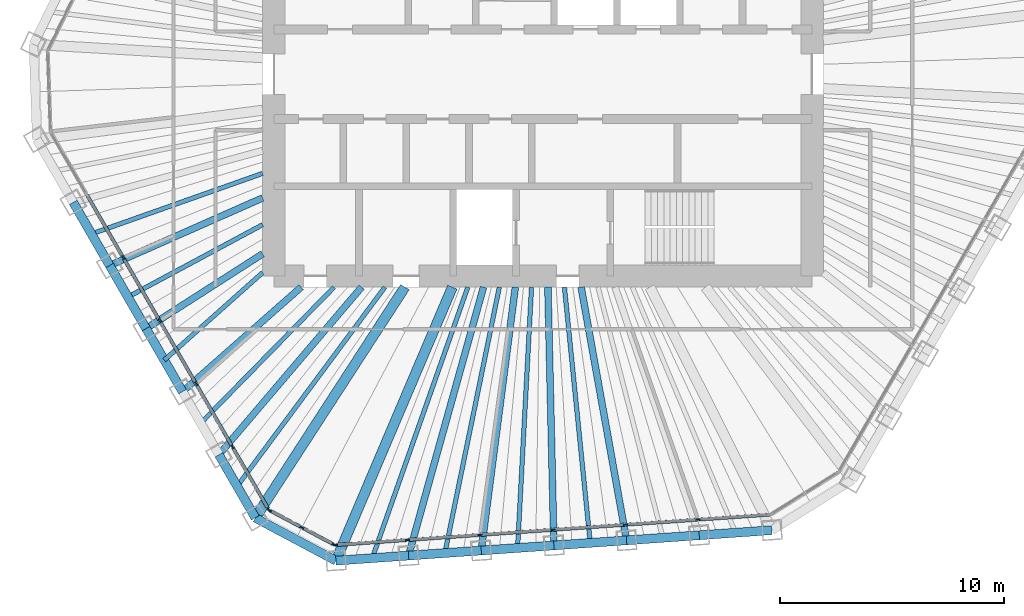
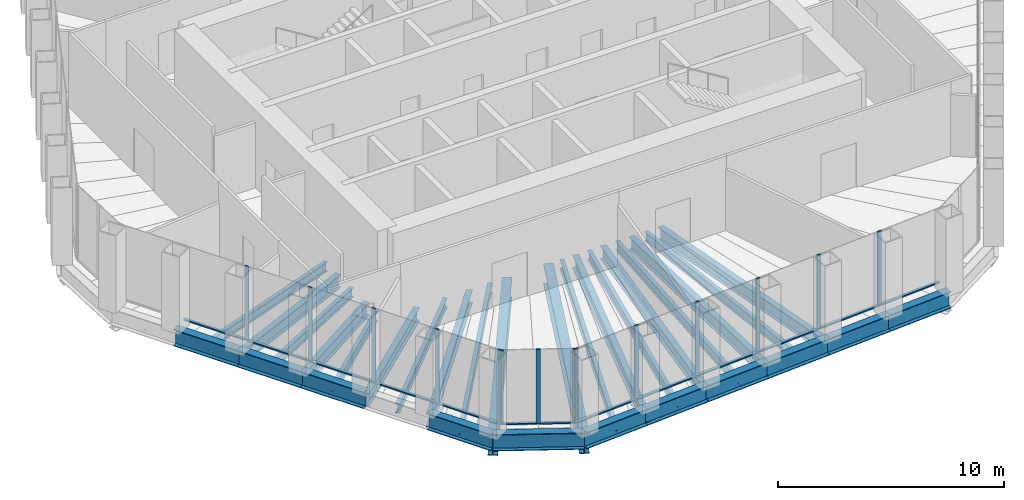
# One storey, part 2 of 14: 30 beams, 27 members, 3 elements without a shape of their own.
"""IFC4 building model written with IfcOpenShell, lengths in metres."""

from ifc_helpers import new_model, si_unit, direction, frame, origin, origin_2d, place, context, subcontext, project, spatial, rectangle, i_section, extrude, material, material_profile, profile_set, type_object, element, aggregate, save


model = new_model("IFC4")

# Units and contexts
model_context = context("Model", 3, precision=1e-05, world=origin(), true_north=direction((0.0, 1.0)))
body_context = subcontext(model_context, "Body", "Model", "MODEL_VIEW")
ifc_project = project(units=[si_unit("LENGTHUNIT", "METRE"), si_unit("AREAUNIT", "SQUARE_METRE"), si_unit("VOLUMEUNIT", "CUBIC_METRE"), si_unit("PLANEANGLEUNIT", "RADIAN"), si_unit("MASSUNIT", "GRAM", prefix="KILO")], contexts=[model_context])

# Site, building, storey
site_placement = place(None, origin())
site = spatial("IfcSite", under=ifc_project, at=site_placement, CompositionType="ELEMENT")
building_placement = place(site_placement, origin())
building = spatial("IfcBuilding", under=site, at=building_placement, Name="Qingtian Harvest Tower", CompositionType="ELEMENT")
storey_placement = place(building_placement, frame((0.0, 0.0, 287.199951171875)))
storey = spatial("IfcBuildingStorey", under=building, at=storey_placement, Name="L63", CompositionType="ELEMENT", Elevation=287.199951171875)

# Beams
ifc_material_1 = material(Name="Steel SM570MC", Category="steel")
ifc_material_profile_1 = material_profile(ifc_material_1, i_section(OverallWidth=0.449951171875, OverallDepth=1.10009765625, WebThickness=0.02197265625, FlangeThickness=0.044921875, at=origin_2d()), Name="H1100x450x22x45")
ifc_profile_set_1 = profile_set([ifc_material_profile_1], Name="Steel SM570MC")
beam_type_1 = type_object("IfcBeamType", Name="Corner floor beam FB8 H1100x450x22x45", PredefinedType="BEAM", material=ifc_profile_set_1)
beam_1_placement = place(storey_placement, frame((-9.231201171875, -21.69677734375, -0.719970703125), z_axis=(0.391497096334, 0.920179343151, 0.0), x_axis=(-0.920179343151, 0.391497096334, 0.0)))
element("IfcBeam", 1, at=beam_1_placement, inside=storey, type_object=beam_type_1, Name="Floor beam FB8 S6", PredefinedType="BEAM", context=body_context, shape_type="SweptSolid", body=[
    extrude(i_section(OverallWidth=0.449951171875, OverallDepth=1.10009765625, WebThickness=0.02197265625, FlangeThickness=0.044921875, at=origin_2d()), origin(), (0.0, 0.0, 1.0), 13.2548828125),
])
beam_2_placement = place(storey_placement, frame((-12.825439453125, -19.78564453125, -0.719970703125), z_axis=(0.543944801957, 0.83912099987, 0.0), x_axis=(-0.83912099987, 0.543944801957, 0.0)))
element("IfcBeam", 2, at=beam_2_placement, inside=storey, type_object=beam_type_1, Name="Floor beam FB8 SW0", PredefinedType="BEAM", context=body_context, shape_type="SweptSolid", body=[
    extrude(i_section(OverallWidth=0.449951171875, OverallDepth=1.10009765625, WebThickness=0.02197265625, FlangeThickness=0.044921875, at=origin_2d()), origin(), (0.0, 0.0, 1.0), 12.257568359375),
])
ifc_material_2 = material(Name="Steel SN490B", Category="steel")
ifc_material_profile_2 = material_profile(ifc_material_2, i_section(OverallWidth=0.300048828125, OverallDepth=0.699951171875, WebThickness=0.012939453125, FlangeThickness=0.02392578125, at=origin_2d()), Name="H700x300x13x24")
ifc_profile_set_2 = profile_set([ifc_material_profile_2], Name="Steel SN490B")
beam_type_2 = type_object("IfcBeamType", Name="Floor beam FB4 H700x300x13x24", PredefinedType="BEAM", material=ifc_profile_set_2)
beam_3_placement = place(storey_placement, frame((3.729248046875, -20.79052734375, -0.52001953125), z_axis=(-0.176549332285, 0.984291792747, 0.0), x_axis=(-0.984291792747, -0.176549332285, 0.0)))
element("IfcBeam", 3, at=beam_3_placement, inside=storey, type_object=beam_type_2, Name="Floor beam FB4 S2", PredefinedType="BEAM", context=body_context, shape_type="SweptSolid", body=[
    extrude(i_section(OverallWidth=0.300048828125, OverallDepth=0.699951171875, WebThickness=0.012939453125, FlangeThickness=0.02392578125, at=origin_2d()), origin(), (0.0, 0.0, 1.0), 11.470703125),
])
beam_4_placement = place(storey_placement, frame((0.489013671875, -21.01708984375, -0.52001953125), z_axis=(-0.023248050009, 0.999729727562, 0.0), x_axis=(-0.999729727562, -0.023248050009, 0.0)))
element("IfcBeam", 4, at=beam_4_placement, inside=storey, type_object=beam_type_2, Name="Floor beam FB4 S3", PredefinedType="BEAM", context=body_context, shape_type="SweptSolid", body=[
    extrude(i_section(OverallWidth=0.300048828125, OverallDepth=0.699951171875, WebThickness=0.012939453125, FlangeThickness=0.02392578125, at=origin_2d()), origin(), (0.0, 0.0, 1.0), 11.520263671875),
])
beam_5_placement = place(storey_placement, frame((-2.7509765625, -21.24365234375, -0.52001953125), z_axis=(0.128423358095, 0.991719436683, 0.0), x_axis=(-0.991719436683, 0.128423358095, 0.0)))
element("IfcBeam", 5, at=beam_5_placement, inside=storey, type_object=beam_type_2, Name="Floor beam FB4 S4", PredefinedType="BEAM", context=body_context, shape_type="SweptSolid", body=[
    extrude(i_section(OverallWidth=0.300048828125, OverallDepth=0.699951171875, WebThickness=0.012939453125, FlangeThickness=0.02392578125, at=origin_2d()), origin(), (0.0, 0.0, 1.0), 11.841796875),
])
beam_6_placement = place(storey_placement, frame((-5.9912109375, -21.47021484375, -0.52001953125), z_axis=(0.268784556761, 0.963200322906, 0.0), x_axis=(-0.963200322906, 0.268784556761, 0.0)))
element("IfcBeam", 6, at=beam_6_placement, inside=storey, type_object=beam_type_2, Name="Floor beam FB4 S5", PredefinedType="BEAM", context=body_context, shape_type="SweptSolid", body=[
    extrude(i_section(OverallWidth=0.300048828125, OverallDepth=0.699951171875, WebThickness=0.012939453125, FlangeThickness=0.02392578125, at=origin_2d()), origin(), (0.0, 0.0, 1.0), 12.427490234375),
])
beam_7_placement = place(storey_placement, frame((-14.449462890625, -16.972900390625, -0.52001953125), z_axis=(0.64823096823, 0.761443768001, 0.0), x_axis=(-0.761443768001, 0.64823096823, 0.0)))
element("IfcBeam", 7, at=beam_7_placement, inside=storey, type_object=beam_type_2, Name="Floor beam FB4 SW1", PredefinedType="BEAM", context=body_context, shape_type="SweptSolid", body=[
    extrude(i_section(OverallWidth=0.300048828125, OverallDepth=0.699951171875, WebThickness=0.012939453125, FlangeThickness=0.02392578125, at=origin_2d()), origin(), (0.0, 0.0, 1.0), 9.814208984375),
])
beam_8_placement = place(storey_placement, frame((-16.073486328125, -14.159912109375, -0.52001953125), z_axis=(0.75036921961, 0.661018936387, 0.0), x_axis=(-0.661018936387, 0.75036921961, 0.0)))
element("IfcBeam", 8, at=beam_8_placement, inside=storey, type_object=beam_type_2, Name="Floor beam FB4 SW2", PredefinedType="BEAM", context=body_context, shape_type="SweptSolid", body=[
    extrude(i_section(OverallWidth=0.300048828125, OverallDepth=0.699951171875, WebThickness=0.012939453125, FlangeThickness=0.02392578125, at=origin_2d()), origin(), (0.0, 0.0, 1.0), 7.049560546875),
])
beam_9_placement = place(storey_placement, frame((-17.697509765625, -11.34716796875, -0.52001953125), z_axis=(0.841821552392, 0.539755939225, 0.0), x_axis=(-0.539755939225, 0.841821552392, 0.0)))
element("IfcBeam", 9, at=beam_9_placement, inside=storey, type_object=beam_type_2, Name="Floor beam FB4 SW3", PredefinedType="BEAM", context=body_context, shape_type="SweptSolid", body=[
    extrude(i_section(OverallWidth=0.300048828125, OverallDepth=0.699951171875, WebThickness=0.012939453125, FlangeThickness=0.02392578125, at=origin_2d()), origin(), (0.0, 0.0, 1.0), 6.174072265625),
])
beam_10_placement = place(storey_placement, frame((-19.321533203125, -8.5341796875, -0.52001953125), z_axis=(0.914747389649, 0.404026253021, 0.0), x_axis=(-0.404026253021, 0.914747389649, 0.0)))
element("IfcBeam", 10, at=beam_10_placement, inside=storey, type_object=beam_type_2, Name="Floor beam FB4 SW4", PredefinedType="BEAM", context=body_context, shape_type="SweptSolid", body=[
    extrude(i_section(OverallWidth=0.300048828125, OverallDepth=0.699951171875, WebThickness=0.012939453125, FlangeThickness=0.02392578125, at=origin_2d()), origin(), (0.0, 0.0, 1.0), 7.457275390625),
])
ifc_material_3 = material(Name="Steel SN490B", Category="steel")
ifc_material_profile_3 = material_profile(ifc_material_3, i_section(OverallWidth=0.199951171875, OverallDepth=0.5, WebThickness=0.010009765625, FlangeThickness=0.01611328125, at=origin_2d()), Name="H500x200x10x16")
ifc_profile_set_3 = profile_set([ifc_material_profile_3], Name="Steel SN490B")
beam_type_3 = type_object("IfcBeamType", Name="Floor joist J3 H500x200x10x16", PredefinedType="JOIST", material=ifc_profile_set_3)
beam_11_placement = place(storey_placement, frame((2.109130859375, -20.90380859375, -0.419921875), z_axis=(-0.100389444623, 0.994948219461, 0.0), x_axis=(-0.994948219461, -0.100389444623, 0.0)))
element("IfcBeam", 11, at=beam_11_placement, inside=storey, type_object=beam_type_3, Name="Floor joist J3 S2", PredefinedType="JOIST", context=body_context, shape_type="SweptSolid", body=[
    extrude(i_section(OverallWidth=0.199951171875, OverallDepth=0.5, WebThickness=0.010009765625, FlangeThickness=0.01611328125, at=origin_2d()), origin(), (0.0, 0.0, 1.0), 11.461669921875),
])
beam_12_placement = place(storey_placement, frame((-1.130859375, -21.13037109375, -0.419921875), z_axis=(0.053431269754, 0.998571529442, 0.0), x_axis=(-0.998571529442, 0.053431269754, 0.0)))
element("IfcBeam", 12, at=beam_12_placement, inside=storey, type_object=beam_type_3, Name="Floor joist J3 S3", PredefinedType="JOIST", context=body_context, shape_type="SweptSolid", body=[
    extrude(i_section(OverallWidth=0.199951171875, OverallDepth=0.5, WebThickness=0.010009765625, FlangeThickness=0.01611328125, at=origin_2d()), origin(), (0.0, 0.0, 1.0), 11.64697265625),
])
beam_13_placement = place(storey_placement, frame((-4.37109375, -21.35693359375, -0.419921875), z_axis=(0.20051328843, 0.979690982485, 0.0), x_axis=(-0.979690982485, 0.20051328843, 0.0)))
element("IfcBeam", 13, at=beam_13_placement, inside=storey, type_object=beam_type_3, Name="Floor joist J3 S4", PredefinedType="JOIST", context=body_context, shape_type="SweptSolid", body=[
    extrude(i_section(OverallWidth=0.199951171875, OverallDepth=0.5, WebThickness=0.010009765625, FlangeThickness=0.01611328125, at=origin_2d()), origin(), (0.0, 0.0, 1.0), 12.102783203125),
])
beam_14_placement = place(storey_placement, frame((-7.611083984375, -21.58349609375, -0.419921875), z_axis=(0.332557973755, 0.943082814016, 0.0), x_axis=(-0.943082814016, 0.332557973755, 0.0)))
element("IfcBeam", 14, at=beam_14_placement, inside=storey, type_object=beam_type_3, Name="Floor joist J3 S5", PredefinedType="JOIST", context=body_context, shape_type="SweptSolid", body=[
    extrude(i_section(OverallWidth=0.199951171875, OverallDepth=0.5, WebThickness=0.010009765625, FlangeThickness=0.01611328125, at=origin_2d()), origin(), (0.0, 0.0, 1.0), 12.812744140625),
])
beam_15_placement = place(storey_placement, frame((-13.637451171875, -18.37939453125, -0.419921875), z_axis=(0.59587265023, 0.80307894052, 0.0), x_axis=(-0.80307894052, 0.59587265023, 0.0)))
element("IfcBeam", 15, at=beam_15_placement, inside=storey, type_object=beam_type_3, Name="Floor joist J3 SW0", PredefinedType="JOIST", context=body_context, shape_type="SweptSolid", body=[
    extrude(i_section(OverallWidth=0.199951171875, OverallDepth=0.5, WebThickness=0.010009765625, FlangeThickness=0.01611328125, at=origin_2d()), origin(), (0.0, 0.0, 1.0), 11.056640625),
])
beam_16_placement = place(storey_placement, frame((-15.261474609375, -15.56640625, -0.419921875), z_axis=(0.700074571426, 0.714069740602, 0.0), x_axis=(-0.714069740602, 0.700074571426, 0.0)))
element("IfcBeam", 16, at=beam_16_placement, inside=storey, type_object=beam_type_3, Name="Floor joist J3 SW1", PredefinedType="JOIST", context=body_context, shape_type="SweptSolid", body=[
    extrude(i_section(OverallWidth=0.199951171875, OverallDepth=0.5, WebThickness=0.010009765625, FlangeThickness=0.01611328125, at=origin_2d()), origin(), (0.0, 0.0, 1.0), 8.49560546875),
])
beam_17_placement = place(storey_placement, frame((-16.885498046875, -12.753662109375, -0.419921875), z_axis=(0.746957180478, 0.664872146004, 0.0), x_axis=(-0.664872146004, 0.746957180478, 0.0)))
element("IfcBeam", 17, at=beam_17_placement, inside=storey, type_object=beam_type_3, Name="Floor joist J3 SW2", PredefinedType="JOIST", context=body_context, shape_type="SweptSolid", body=[
    extrude(i_section(OverallWidth=0.199951171875, OverallDepth=0.5, WebThickness=0.010009765625, FlangeThickness=0.01611328125, at=origin_2d()), origin(), (0.0, 0.0, 1.0), 5.87109375),
])
beam_18_placement = place(storey_placement, frame((-18.509521484375, -9.940673828125, -0.419921875), z_axis=(0.880981997123, 0.473149786795, 0.0), x_axis=(-0.473149786795, 0.880981997123, 0.0)))
element("IfcBeam", 18, at=beam_18_placement, inside=storey, type_object=beam_type_3, Name="Floor joist J3 SW3", PredefinedType="JOIST", context=body_context, shape_type="SweptSolid", body=[
    extrude(i_section(OverallWidth=0.199951171875, OverallDepth=0.5, WebThickness=0.010009765625, FlangeThickness=0.01611328125, at=origin_2d()), origin(), (0.0, 0.0, 1.0), 6.8212890625),
])
beam_19_placement = place(storey_placement, frame((-20.133544921875, -7.1279296875, -0.419921875), z_axis=(0.942662600818, 0.333747241215, 0.0), x_axis=(-0.333747241215, 0.942662600818, 0.0)))
element("IfcBeam", 19, at=beam_19_placement, inside=storey, type_object=beam_type_3, Name="Floor joist J3 SW4", PredefinedType="JOIST", context=body_context, shape_type="SweptSolid", body=[
    extrude(i_section(OverallWidth=0.199951171875, OverallDepth=0.5, WebThickness=0.010009765625, FlangeThickness=0.01611328125, at=origin_2d()), origin(), (0.0, 0.0, 1.0), 8.097900390625),
])

# Curtain wall, members
ifc_material_4 = material(Name="Bronze-anodised aluminium curtain wall", Category="aluminium")
curtain_wall_type = type_object("IfcCurtainWallType", Name="Curtain wall CW5 upper office", PredefinedType="USERDEFINED", material=ifc_material_4)
curtain_wall_1_placement = place(storey_placement, origin())
curtain_wall_1 = element("IfcCurtainWall", 20, at=curtain_wall_1_placement, inside=storey, type_object=curtain_wall_type, Name="Curtain wall CW5 L63 S0-5", ObjectType="RECESSED CURTAIN WALL", PredefinedType="USERDEFINED")
ifc_material_5 = material(Name="Bronze-anodised aluminium mullion", Category="aluminium")
ifc_material_profile_4 = material_profile(ifc_material_5, rectangle(XDim=0.06494140625, YDim=0.199951171875, at=origin_2d()), Name="AL 65x200")
ifc_profile_set_4 = profile_set([ifc_material_profile_4], Name="Bronze-anodised aluminium mullion")
member_type_1 = type_object("IfcMemberType", Name="Mullion CWM 65x200", PredefinedType="MULLION", material=ifc_profile_set_4)
member_1_placement = place(storey_placement, frame((6.92041015625, -19.86572265625, 0.0), z_axis=(0.0, 0.0, 1.0), x_axis=(0.069756473744, -0.99756405026, 0.0)))
member_1 = element("IfcMember", 21, at=member_1_placement, type_object=member_type_1, Name="CW5 mullion 2", PredefinedType="MULLION", context=body_context, shape_type="SweptSolid", body=[
    extrude(rectangle(XDim=0.06494140625, YDim=0.199951171875, at=origin_2d()), origin(), (0.0, 0.0, 1.0), 4.030029296875),
])
member_2_placement = place(storey_placement, frame((3.680419921875, -20.09228515625, 0.0), z_axis=(0.0, 0.0, 1.0), x_axis=(0.069756473744, -0.99756405026, 0.0)))
member_2 = element("IfcMember", 22, at=member_2_placement, type_object=member_type_1, Name="CW5 mullion 3", PredefinedType="MULLION", context=body_context, shape_type="SweptSolid", body=[
    extrude(rectangle(XDim=0.06494140625, YDim=0.199951171875, at=origin_2d()), origin(), (0.0, 0.0, 1.0), 4.030029296875),
])
member_3_placement = place(storey_placement, frame((0.440185546875, -20.31884765625, 0.0), z_axis=(0.0, 0.0, 1.0), x_axis=(0.069756473744, -0.99756405026, 0.0)))
member_3 = element("IfcMember", 23, at=member_3_placement, type_object=member_type_1, Name="CW5 mullion 4", PredefinedType="MULLION", context=body_context, shape_type="SweptSolid", body=[
    extrude(rectangle(XDim=0.06494140625, YDim=0.199951171875, at=origin_2d()), origin(), (0.0, 0.0, 1.0), 4.030029296875),
])
member_4_placement = place(storey_placement, frame((-2.7998046875, -20.54541015625, 0.0), z_axis=(0.0, 0.0, 1.0), x_axis=(0.069756473744, -0.99756405026, 0.0)))
member_4 = element("IfcMember", 24, at=member_4_placement, type_object=member_type_1, Name="CW5 mullion 5", PredefinedType="MULLION", context=body_context, shape_type="SweptSolid", body=[
    extrude(rectangle(XDim=0.06494140625, YDim=0.199951171875, at=origin_2d()), origin(), (0.0, 0.0, 1.0), 4.030029296875),
])
member_5_placement = place(storey_placement, frame((-6.0400390625, -20.77197265625, 0.0), z_axis=(0.0, 0.0, 1.0), x_axis=(0.069756473744, -0.99756405026, 0.0)))
member_5 = element("IfcMember", 25, at=member_5_placement, type_object=member_type_1, Name="CW5 mullion 6", PredefinedType="MULLION", context=body_context, shape_type="SweptSolid", body=[
    extrude(rectangle(XDim=0.06494140625, YDim=0.199951171875, at=origin_2d()), origin(), (0.0, 0.0, 1.0), 4.030029296875),
])
member_6_placement = place(storey_placement, frame((-9.24755859375, -20.996337890625, 0.0), z_axis=(0.0, 0.0, 1.0), x_axis=(0.069756473744, -0.99756405026, 0.0)))
member_6 = element("IfcMember", 26, at=member_6_placement, type_object=member_type_1, Name="CW5 mullion 7", PredefinedType="MULLION", context=body_context, shape_type="SweptSolid", body=[
    extrude(rectangle(XDim=0.06494140625, YDim=0.199951171875, at=origin_2d()), origin(), (0.0, 0.0, 1.0), 4.030029296875),
])

curtain_wall_2_placement = place(storey_placement, origin())
curtain_wall_2 = element("IfcCurtainWall", 27, at=curtain_wall_2_placement, inside=storey, type_object=curtain_wall_type, Name="Curtain wall CW5 L63 SC", ObjectType="RECESSED CURTAIN WALL", PredefinedType="USERDEFINED")
member_7_placement = place(storey_placement, frame((-9.308837890625, -20.983154296875, 0.0), z_axis=(0.0, 0.0, 1.0), x_axis=(-0.469471562786, -0.882947592859, 0.0)))
member_7 = element("IfcMember", 28, at=member_7_placement, type_object=member_type_1, Name="CW5 mullion 1", PredefinedType="MULLION", context=body_context, shape_type="SweptSolid", body=[
    extrude(rectangle(XDim=0.06494140625, YDim=0.199951171875, at=origin_2d()), origin(), (0.0, 0.0, 1.0), 4.030029296875),
])
member_8_placement = place(storey_placement, frame((-10.749755859375, -20.217041015625, 0.0), z_axis=(0.0, 0.0, 1.0), x_axis=(-0.469471562786, -0.882947592859, 0.0)))
member_8 = element("IfcMember", 29, at=member_8_placement, type_object=member_type_1, Name="CW5 mullion 2", PredefinedType="MULLION", context=body_context, shape_type="SweptSolid", body=[
    extrude(rectangle(XDim=0.06494140625, YDim=0.199951171875, at=origin_2d()), origin(), (0.0, 0.0, 1.0), 4.030029296875),
])
member_9_placement = place(storey_placement, frame((-12.1904296875, -19.450927734375, 0.0), z_axis=(0.0, 0.0, 1.0), x_axis=(-0.469471562786, -0.882947592859, 0.0)))
member_9 = element("IfcMember", 30, at=member_9_placement, type_object=member_type_1, Name="CW5 mullion 3", PredefinedType="MULLION", context=body_context, shape_type="SweptSolid", body=[
    extrude(rectangle(XDim=0.06494140625, YDim=0.199951171875, at=origin_2d()), origin(), (0.0, 0.0, 1.0), 4.030029296875),
])

curtain_wall_3_placement = place(storey_placement, origin())
curtain_wall_3 = element("IfcCurtainWall", 31, at=curtain_wall_3_placement, inside=storey, type_object=curtain_wall_type, Name="Curtain wall CW5 L63 SW0-5", ObjectType="RECESSED CURTAIN WALL", PredefinedType="USERDEFINED")
member_10_placement = place(storey_placement, frame((-12.2353515625, -19.40771484375, 0.0), z_axis=(0.0, 0.0, 1.0), x_axis=(-0.866025403784, -0.5, 0.0)))
member_10 = element("IfcMember", 32, at=member_10_placement, type_object=member_type_1, Name="CW5 mullion 1", PredefinedType="MULLION", context=body_context, shape_type="SweptSolid", body=[
    extrude(rectangle(XDim=0.06494140625, YDim=0.199951171875, at=origin_2d()), origin(), (0.0, 0.0, 1.0), 4.030029296875),
])
member_11_placement = place(storey_placement, frame((-13.84326171875, -16.622802734375, 0.0), z_axis=(0.0, 0.0, 1.0), x_axis=(-0.866025403784, -0.5, 0.0)))
member_11 = element("IfcMember", 33, at=member_11_placement, type_object=member_type_1, Name="CW5 mullion 2", PredefinedType="MULLION", context=body_context, shape_type="SweptSolid", body=[
    extrude(rectangle(XDim=0.06494140625, YDim=0.199951171875, at=origin_2d()), origin(), (0.0, 0.0, 1.0), 4.030029296875),
])
member_12_placement = place(storey_placement, frame((-15.46728515625, -13.81005859375, 0.0), z_axis=(0.0, 0.0, 1.0), x_axis=(-0.866025403784, -0.5, 0.0)))
member_12 = element("IfcMember", 34, at=member_12_placement, type_object=member_type_1, Name="CW5 mullion 3", PredefinedType="MULLION", context=body_context, shape_type="SweptSolid", body=[
    extrude(rectangle(XDim=0.06494140625, YDim=0.199951171875, at=origin_2d()), origin(), (0.0, 0.0, 1.0), 4.030029296875),
])
member_13_placement = place(storey_placement, frame((-17.09130859375, -10.9970703125, 0.0), z_axis=(0.0, 0.0, 1.0), x_axis=(-0.866025403784, -0.5, 0.0)))
member_13 = element("IfcMember", 35, at=member_13_placement, type_object=member_type_1, Name="CW5 mullion 4", PredefinedType="MULLION", context=body_context, shape_type="SweptSolid", body=[
    extrude(rectangle(XDim=0.06494140625, YDim=0.199951171875, at=origin_2d()), origin(), (0.0, 0.0, 1.0), 4.030029296875),
])
member_14_placement = place(storey_placement, frame((-18.71533203125, -8.184326171875, 0.0), z_axis=(0.0, 0.0, 1.0), x_axis=(-0.866025403784, -0.5, 0.0)))
member_14 = element("IfcMember", 36, at=member_14_placement, type_object=member_type_1, Name="CW5 mullion 5", PredefinedType="MULLION", context=body_context, shape_type="SweptSolid", body=[
    extrude(rectangle(XDim=0.06494140625, YDim=0.199951171875, at=origin_2d()), origin(), (0.0, 0.0, 1.0), 4.030029296875),
])

# Beams
ifc_material_6 = material(Name="Steel SN490B", Category="steel")
ifc_material_profile_5 = material_profile(ifc_material_6, i_section(OverallWidth=0.39990234375, OverallDepth=0.89990234375, WebThickness=0.01904296875, FlangeThickness=0.035888671875, at=origin_2d()), Name="H900x400x19x36")
ifc_profile_set_5 = profile_set([ifc_material_profile_5], Name="Steel SN490B")
beam_type_4 = type_object("IfcBeamType", Name="Spandrel beam SB4 H900x400x19x36", PredefinedType="SPANDREL", material=ifc_profile_set_5)
beam_20_placement = place(storey_placement, frame((10.20947265625, -20.33740234375, -0.449951171875), z_axis=(-0.9975644093, -0.069751339047, 0.0), x_axis=(0.069751339047, -0.9975644093, 0.0)))
element("IfcBeam", 37, at=beam_20_placement, inside=storey, type_object=beam_type_4, Name="Spandrel SB4 S0", PredefinedType="SPANDREL", context=body_context, shape_type="SweptSolid", body=[
    extrude(i_section(OverallWidth=0.39990234375, OverallDepth=0.89990234375, WebThickness=0.01904296875, FlangeThickness=0.035888671875, at=origin_2d()), origin(), (0.0, 0.0, 1.0), 3.248046875),
])
beam_21_placement = place(storey_placement, frame((6.96923828125, -20.56396484375, -0.449951171875), z_axis=(-0.997564043571, -0.069756569394, 0.0), x_axis=(0.069756569394, -0.997564043571, 0.0)))
element("IfcBeam", 38, at=beam_21_placement, inside=storey, type_object=beam_type_4, Name="Spandrel SB4 S1", PredefinedType="SPANDREL", context=body_context, shape_type="SweptSolid", body=[
    extrude(i_section(OverallWidth=0.39990234375, OverallDepth=0.89990234375, WebThickness=0.01904296875, FlangeThickness=0.035888671875, at=origin_2d()), origin(), (0.0, 0.0, 1.0), 3.247802734375),
])
beam_22_placement = place(storey_placement, frame((3.729248046875, -20.79052734375, -0.449951171875), z_axis=(-0.9975644093, -0.069751339047, 0.0), x_axis=(0.069751339047, -0.9975644093, 0.0)))
element("IfcBeam", 39, at=beam_22_placement, inside=storey, type_object=beam_type_4, Name="Spandrel SB4 S2", PredefinedType="SPANDREL", context=body_context, shape_type="SweptSolid", body=[
    extrude(i_section(OverallWidth=0.39990234375, OverallDepth=0.89990234375, WebThickness=0.01904296875, FlangeThickness=0.035888671875, at=origin_2d()), origin(), (0.0, 0.0, 1.0), 3.248046875),
])
beam_23_placement = place(storey_placement, frame((0.489013671875, -21.01708984375, -0.449951171875), z_axis=(-0.997564043571, -0.069756569394, 0.0), x_axis=(0.069756569394, -0.997564043571, 0.0)))
element("IfcBeam", 40, at=beam_23_placement, inside=storey, type_object=beam_type_4, Name="Spandrel SB4 S3", PredefinedType="SPANDREL", context=body_context, shape_type="SweptSolid", body=[
    extrude(i_section(OverallWidth=0.39990234375, OverallDepth=0.89990234375, WebThickness=0.01904296875, FlangeThickness=0.035888671875, at=origin_2d()), origin(), (0.0, 0.0, 1.0), 3.247802734375),
])
beam_24_placement = place(storey_placement, frame((-2.7509765625, -21.24365234375, -0.449951171875), z_axis=(-0.9975644093, -0.069751339047, 0.0), x_axis=(0.069751339047, -0.9975644093, 0.0)))
element("IfcBeam", 41, at=beam_24_placement, inside=storey, type_object=beam_type_4, Name="Spandrel SB4 S4", PredefinedType="SPANDREL", context=body_context, shape_type="SweptSolid", body=[
    extrude(i_section(OverallWidth=0.39990234375, OverallDepth=0.89990234375, WebThickness=0.01904296875, FlangeThickness=0.035888671875, at=origin_2d()), origin(), (0.0, 0.0, 1.0), 3.248046875),
])
beam_25_placement = place(storey_placement, frame((-5.9912109375, -21.47021484375, -0.449951171875), z_axis=(-0.997564043571, -0.069756569394, 0.0), x_axis=(0.069756569394, -0.997564043571, 0.0)))
element("IfcBeam", 42, at=beam_25_placement, inside=storey, type_object=beam_type_4, Name="Spandrel SB4 S5", PredefinedType="SPANDREL", context=body_context, shape_type="SweptSolid", body=[
    extrude(i_section(OverallWidth=0.39990234375, OverallDepth=0.89990234375, WebThickness=0.01904296875, FlangeThickness=0.035888671875, at=origin_2d()), origin(), (0.0, 0.0, 1.0), 3.247802734375),
])
beam_26_placement = place(storey_placement, frame((-9.231201171875, -21.69677734375, -0.449951171875), z_axis=(-0.882943273379, 0.469479686456, 0.0), x_axis=(-0.469479686456, -0.882943273379, 0.0)))
element("IfcBeam", 43, at=beam_26_placement, inside=storey, type_object=beam_type_4, Name="Spandrel SB4 SC", PredefinedType="SPANDREL", context=body_context, shape_type="SweptSolid", body=[
    extrude(i_section(OverallWidth=0.39990234375, OverallDepth=0.89990234375, WebThickness=0.01904296875, FlangeThickness=0.035888671875, at=origin_2d()), origin(), (0.0, 0.0, 1.0), 4.07080078125),
])
for number, where, z_axis, x_axis, name in (
    (44, (-12.825439453125, -19.78564453125, -0.449951171875), (-0.500019593356, 0.866014091259, 0.0), (-0.866014091259, -0.500019593356, 0.0), "Spandrel SB4 SW0"),
    (45, (-16.073486328125, -14.159912109375, -0.449951171875), (-0.500019593356, 0.866014091259, 0.0), (-0.866014091259, -0.500019593356, 0.0), "Spandrel SB4 SW2"),
):
    element("IfcBeam", number, at=place(storey_placement, frame(where, z_axis=z_axis, x_axis=x_axis)), inside=storey, type_object=beam_type_4, Name=name, PredefinedType="SPANDREL", context=body_context, shape_type="SweptSolid", body=[
        extrude(i_section(OverallWidth=0.39990234375, OverallDepth=0.89990234375, WebThickness=0.01904296875, FlangeThickness=0.035888671875, at=origin_2d()), origin(), (0.0, 0.0, 1.0), 3.247802734375),
    ])
beam_27_placement = place(storey_placement, frame((-17.697509765625, -11.34716796875, -0.449951171875), z_axis=(-0.499987045439, 0.866032882975, 0.0), x_axis=(-0.866032882975, -0.499987045439, 0.0)))
element("IfcBeam", 46, at=beam_27_placement, inside=storey, type_object=beam_type_4, Name="Spandrel SB4 SW3", PredefinedType="SPANDREL", context=body_context, shape_type="SweptSolid", body=[
    extrude(i_section(OverallWidth=0.39990234375, OverallDepth=0.89990234375, WebThickness=0.01904296875, FlangeThickness=0.035888671875, at=origin_2d()), origin(), (0.0, 0.0, 1.0), 3.248046875),
])
beam_28_placement = place(storey_placement, frame((-19.321533203125, -8.5341796875, -0.449951171875), z_axis=(-0.500019593356, 0.866014091259, 0.0), x_axis=(-0.866014091259, -0.500019593356, 0.0)))
element("IfcBeam", 47, at=beam_28_placement, inside=storey, type_object=beam_type_4, Name="Spandrel SB4 SW4", PredefinedType="SPANDREL", context=body_context, shape_type="SweptSolid", body=[
    extrude(i_section(OverallWidth=0.39990234375, OverallDepth=0.89990234375, WebThickness=0.01904296875, FlangeThickness=0.035888671875, at=origin_2d()), origin(), (0.0, 0.0, 1.0), 3.247802734375),
])

# Member
ifc_material_7 = material(Name="Bronze-anodised aluminium transom", Category="aluminium")
ifc_material_profile_6 = material_profile(ifc_material_7, rectangle(XDim=0.14990234375, YDim=0.06494140625, at=origin_2d()), Name="AL 65x150")
ifc_profile_set_6 = profile_set([ifc_material_profile_6], Name="Bronze-anodised aluminium transom")
member_type_2 = type_object("IfcMemberType", Name="Transom CWT 65x150", PredefinedType="USERDEFINED", material=ifc_profile_set_6)
member_15_placement = place(storey_placement, frame((10.095703125, -19.6435546875, 0.032470703125), z_axis=(-0.997564955301, -0.069743529851, 0.0), x_axis=(0.069743529851, -0.997564955301, 0.0)))
member_15 = element("IfcMember", 48, at=member_15_placement, type_object=member_type_2, Name="CW5 transom 1.1", ObjectType="TRANSOM", PredefinedType="USERDEFINED", context=body_context, shape_type="SweptSolid", body=[
    extrude(rectangle(XDim=0.14990234375, YDim=0.06494140625, at=origin_2d()), origin(), (0.0, 0.0, 1.0), 3.150390625),
])

member_16_placement = place(storey_placement, frame((6.88818359375, -19.867919921875, 0.032470703125), z_axis=(-0.997566548107, -0.069720743674, 0.0), x_axis=(0.069720743674, -0.997566548107, 0.0)))
member_16 = element("IfcMember", 49, at=member_16_placement, type_object=member_type_2, Name="CW5 transom 2.1", ObjectType="TRANSOM", PredefinedType="USERDEFINED", context=body_context, shape_type="SweptSolid", body=[
    extrude(rectangle(XDim=0.14990234375, YDim=0.06494140625, at=origin_2d()), origin(), (0.0, 0.0, 1.0), 3.18310546875),
])

member_17_placement = place(storey_placement, frame((3.64794921875, -20.094482421875, 0.032470703125), z_axis=(-0.997566548107, -0.069720743674, 0.0), x_axis=(0.069720743674, -0.997566548107, 0.0)))
member_17 = element("IfcMember", 50, at=member_17_placement, type_object=member_type_2, Name="CW5 transom 3.1", ObjectType="TRANSOM", PredefinedType="USERDEFINED", context=body_context, shape_type="SweptSolid", body=[
    extrude(rectangle(XDim=0.14990234375, YDim=0.06494140625, at=origin_2d()), origin(), (0.0, 0.0, 1.0), 3.18310546875),
])

member_18_placement = place(storey_placement, frame((0.407958984375, -20.321044921875, 0.032470703125), z_axis=(-0.997566548107, -0.069720743674, 0.0), x_axis=(0.069720743674, -0.997566548107, 0.0)))
member_18 = element("IfcMember", 51, at=member_18_placement, type_object=member_type_2, Name="CW5 transom 4.1", ObjectType="TRANSOM", PredefinedType="USERDEFINED", context=body_context, shape_type="SweptSolid", body=[
    extrude(rectangle(XDim=0.14990234375, YDim=0.06494140625, at=origin_2d()), origin(), (0.0, 0.0, 1.0), 3.18310546875),
])

member_19_placement = place(storey_placement, frame((-2.832275390625, -20.547607421875, 0.032470703125), z_axis=(-0.997561210613, -0.06979707071, 0.0), x_axis=(0.06979707071, -0.997561210613, 0.0)))
member_19 = element("IfcMember", 52, at=member_19_placement, type_object=member_type_2, Name="CW5 transom 5.1", ObjectType="TRANSOM", PredefinedType="USERDEFINED", context=body_context, shape_type="SweptSolid", body=[
    extrude(rectangle(XDim=0.14990234375, YDim=0.06494140625, at=origin_2d()), origin(), (0.0, 0.0, 1.0), 3.18310546875),
])

member_20_placement = place(storey_placement, frame((-6.072509765625, -20.774169921875, 0.032470703125), z_axis=(-0.997564955301, -0.069743529851, 0.0), x_axis=(0.069743529851, -0.997564955301, 0.0)))
member_20 = element("IfcMember", 53, at=member_20_placement, type_object=member_type_2, Name="CW5 transom 6.1", ObjectType="TRANSOM", PredefinedType="USERDEFINED", context=body_context, shape_type="SweptSolid", body=[
    extrude(rectangle(XDim=0.14990234375, YDim=0.06494140625, at=origin_2d()), origin(), (0.0, 0.0, 1.0), 3.150390625),
])

aggregate(curtain_wall_1, [member_1, member_2, member_3, member_4, member_5, member_6, member_15, member_16, member_17, member_18, member_19, member_20])

member_21_placement = place(storey_placement, frame((-9.33740234375, -20.968017578125, 0.032470703125), z_axis=(-0.882960338349, 0.46944759122, 0.0), x_axis=(-0.46944759122, -0.882960338349, 0.0)))
member_21 = element("IfcMember", 54, at=member_21_placement, type_object=member_type_2, Name="CW5 transom 1.1", ObjectType="TRANSOM", PredefinedType="USERDEFINED", context=body_context, shape_type="SweptSolid", body=[
    extrude(rectangle(XDim=0.14990234375, YDim=0.06494140625, at=origin_2d()), origin(), (0.0, 0.0, 1.0), 1.56689453125),
])

member_22_placement = place(storey_placement, frame((-10.7783203125, -20.201904296875, 0.032470703125), z_axis=(-0.882960338349, 0.46944759122, 0.0), x_axis=(-0.46944759122, -0.882960338349, 0.0)))
member_22 = element("IfcMember", 55, at=member_22_placement, type_object=member_type_2, Name="CW5 transom 2.1", ObjectType="TRANSOM", PredefinedType="USERDEFINED", context=body_context, shape_type="SweptSolid", body=[
    extrude(rectangle(XDim=0.14990234375, YDim=0.06494140625, at=origin_2d()), origin(), (0.0, 0.0, 1.0), 1.56689453125),
])

aggregate(curtain_wall_2, [member_7, member_8, member_9, member_21, member_22])

member_23_placement = place(storey_placement, frame((-12.251708984375, -19.37939453125, 0.032470703125), z_axis=(-0.50000643655, 0.866021687608, 0.0), x_axis=(-0.866021687608, -0.50000643655, 0.0)))
member_23 = element("IfcMember", 56, at=member_23_placement, type_object=member_type_2, Name="CW5 transom 1.1", ObjectType="TRANSOM", PredefinedType="USERDEFINED", context=body_context, shape_type="SweptSolid", body=[
    extrude(rectangle(XDim=0.14990234375, YDim=0.06494140625, at=origin_2d()), origin(), (0.0, 0.0, 1.0), 3.150390625),
])

member_24_placement = place(storey_placement, frame((-13.859375, -16.5947265625, 0.032470703125), z_axis=(-0.5000079448, 0.866020816803, 0.0), x_axis=(-0.866020816803, -0.5000079448, 0.0)))
member_24 = element("IfcMember", 57, at=member_24_placement, type_object=member_type_2, Name="CW5 transom 2.1", ObjectType="TRANSOM", PredefinedType="USERDEFINED", context=body_context, shape_type="SweptSolid", body=[
    extrude(rectangle(XDim=0.14990234375, YDim=0.06494140625, at=origin_2d()), origin(), (0.0, 0.0, 1.0), 3.18310546875),
])

member_25_placement = place(storey_placement, frame((-15.4833984375, -13.78173828125, 0.032470703125), z_axis=(-0.500041159108, 0.866001639258, 0.0), x_axis=(-0.866001639258, -0.500041159108, 0.0)))
member_25 = element("IfcMember", 58, at=member_25_placement, type_object=member_type_2, Name="CW5 transom 3.1", ObjectType="TRANSOM", PredefinedType="USERDEFINED", context=body_context, shape_type="SweptSolid", body=[
    extrude(rectangle(XDim=0.14990234375, YDim=0.06494140625, at=origin_2d()), origin(), (0.0, 0.0, 1.0), 3.182861328125),
])

member_26_placement = place(storey_placement, frame((-17.107421875, -10.968994140625, 0.032470703125), z_axis=(-0.5000079448, 0.866020816803, 0.0), x_axis=(-0.866020816803, -0.5000079448, 0.0)))
member_26 = element("IfcMember", 59, at=member_26_placement, type_object=member_type_2, Name="CW5 transom 4.1", ObjectType="TRANSOM", PredefinedType="USERDEFINED", context=body_context, shape_type="SweptSolid", body=[
    extrude(rectangle(XDim=0.14990234375, YDim=0.06494140625, at=origin_2d()), origin(), (0.0, 0.0, 1.0), 3.18310546875),
])

member_27_placement = place(storey_placement, frame((-18.7314453125, -8.156005859375, 0.032470703125), z_axis=(-0.5000079448, 0.866020816803, 0.0), x_axis=(-0.866020816803, -0.5000079448, 0.0)))
member_27 = element("IfcMember", 60, at=member_27_placement, type_object=member_type_2, Name="CW5 transom 5.1", ObjectType="TRANSOM", PredefinedType="USERDEFINED", context=body_context, shape_type="SweptSolid", body=[
    extrude(rectangle(XDim=0.14990234375, YDim=0.06494140625, at=origin_2d()), origin(), (0.0, 0.0, 1.0), 3.18310546875),
])

aggregate(curtain_wall_3, [member_10, member_11, member_12, member_13, member_14, member_23, member_24, member_25, member_26, member_27])

save(model, "model.ifc")
